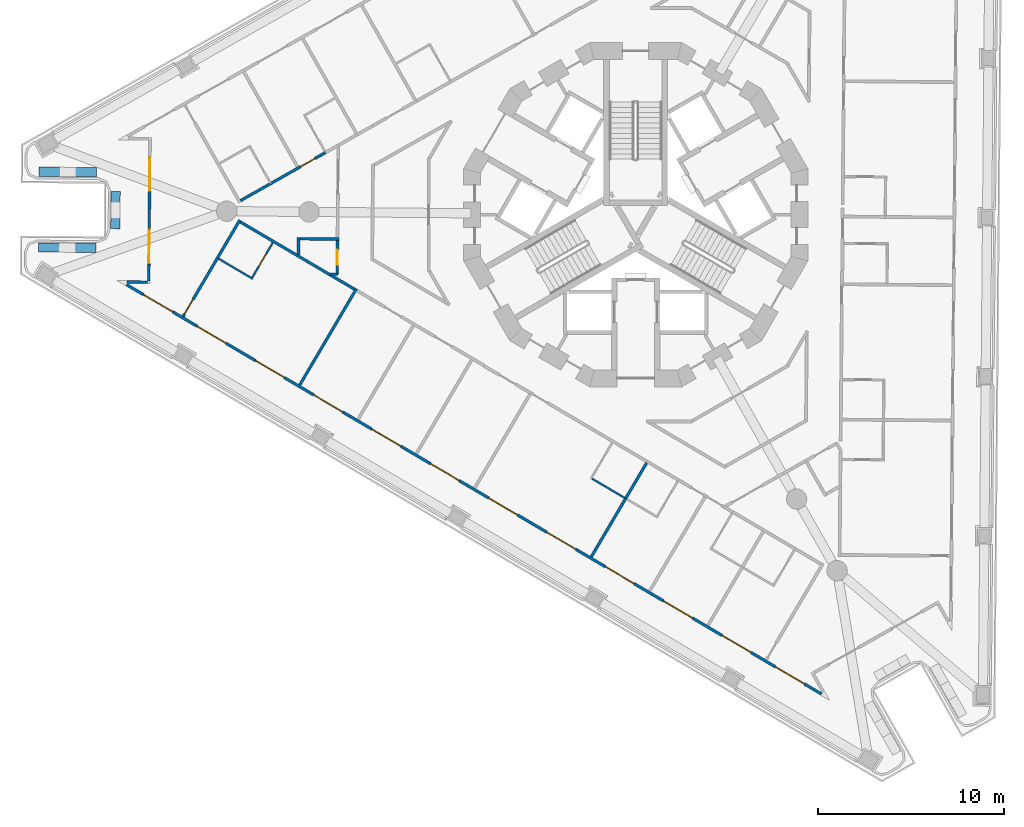
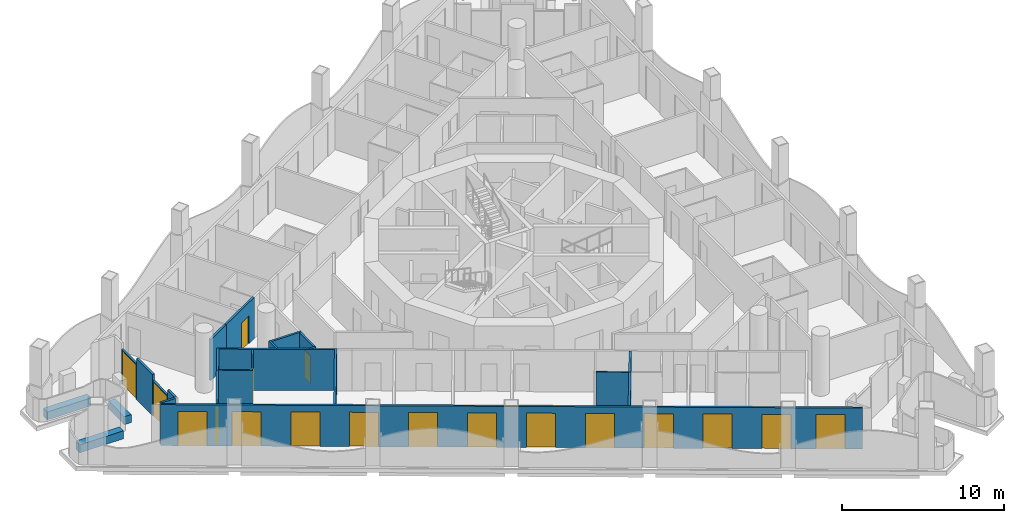
# One storey, part 2 of 17: 24 walls, 18 doors, 18 openings.
"""IFC4 building model written with IfcOpenShell, lengths in metres."""

from ifc_helpers import new_model, si_unit, direction, frame, frame_2d, origin, place, context, subcontext, project, spatial, polyline, rectangle, outline, extrude, material, layer, layer_set, type_object, element, fill, save


model = new_model("IFC4")

# Units and contexts
model_context = context("Model", 3, precision=1e-05, world=origin(), true_north=direction((0.0, 1.0)))
body_context = subcontext(model_context, "Body", "Model", "MODEL_VIEW")
ifc_project = project(units=[si_unit("LENGTHUNIT", "METRE"), si_unit("AREAUNIT", "SQUARE_METRE"), si_unit("VOLUMEUNIT", "CUBIC_METRE"), si_unit("PLANEANGLEUNIT", "RADIAN"), si_unit("MASSUNIT", "GRAM", prefix="KILO")], contexts=[model_context])

# Site, building, storey
site_placement = place(None, origin())
site = spatial("IfcSite", under=ifc_project, at=site_placement, CompositionType="ELEMENT")
building_placement = place(site_placement, origin())
building = spatial("IfcBuilding", under=site, at=building_placement, Name="Trine Commons Tower", CompositionType="ELEMENT")
storey_placement = place(building_placement, frame((0.0, 0.0, 189.89990234375)))
storey = spatial("IfcBuildingStorey", under=building, at=storey_placement, Name="L49", CompositionType="ELEMENT", Elevation=189.89990234375)

# Walls
ifc_material_1 = material(Name="Aluminium-framed insulated wall panel", Category="aluminium")
ifc_layer_1 = layer(ifc_material_1, 0.14990234375)
ifc_layer_set_1 = layer_set([ifc_layer_1], Name="Aluminium-framed insulated wall panel")
wall_type_1 = type_object("IfcWallType", Name="Glazed frame wall 150, EI 60", PredefinedType="SOLIDWALL", material=ifc_layer_set_1)
wall_1_placement = place(storey_placement, frame((52.447265625, 58.875244140625, 0.0), z_axis=(0.0, 0.0, 1.0), x_axis=(0.999962043845, -0.008712684354, 0.0)))
element("IfcWall", 1, at=wall_1_placement, inside=storey, type_object=wall_type_1, Name="Glazed frame wall R1", PredefinedType="SOLIDWALL", context=body_context, shape_type="SweptSolid", body=[
    extrude(outline(polyline([(0.1494140625, 0.074951171875), (0.1494140625, -0.074951171875), (1.235107421875, -0.074951171875), (1.235107421875, 0.074951171875), (0.1494140625, 0.074951171875)])), origin(), (0.0, 0.0, 1.0), 3.10009765625),
])
wall_2_placement = place(storey_placement, frame((53.7568359375, 58.828857421875, 0.0), z_axis=(0.0, 0.0, 1.0), x_axis=(0.008788723053, 0.999961378428, 0.0)))
element("IfcWall", 2, at=wall_2_placement, inside=storey, type_object=wall_type_1, Name="Glazed frame wall P1.1", PredefinedType="SOLIDWALL", context=body_context, shape_type="SweptSolid", body=[
    extrude(outline(polyline([(0.110107421875, -0.074951171875), (1.0, -0.074951171875), (1.0, 0.074951171875), (0.110107421875, 0.074951171875), (0.110107421875, -0.074951171875)])), origin(), (0.0, 0.0, 1.0), 3.10009765625),
])

# Wall, opening, door
wall_3_placement = place(storey_placement, frame((53.765625, 59.828857421875, 0.0), z_axis=(0.0, 0.0, 1.0), x_axis=(0.008737780017, 0.999961824872, 0.0)))
wall_3 = element("IfcWall", 3, at=wall_3_placement, inside=storey, type_object=wall_type_1, Name="Glazed frame wall P1.2", PredefinedType="SOLIDWALL", context=body_context, shape_type="SweptSolid", body=[
    extrude(outline(polyline([(0.0, -0.074951171875), (1.89990234375, -0.074951171875), (1.89990234375, 0.074951171875), (0.0, 0.074951171875), (0.0, -0.074951171875)])), origin(), (0.0, 0.0, 1.0), 2.650146484375),
])
opening_1_placement = place(wall_3_placement, frame((0.050048828125, 0.0, 0.0)))
opening_1 = element("IfcOpeningElement", 4, at=opening_1_placement, cuts=wall_3, Name="Opening BD-5P1-01", PredefinedType="OPENING", context=body_context, shape_type="SweptSolid", body=[
    extrude(rectangle(XDim=1.800048828125, YDim=2.60009765625, at=frame_2d((0.89990234375, 1.300048828125))), frame((0.0, 0.0849609375, 0.0), z_axis=(0.0, -1.0, 0.0), x_axis=(1.0, 0.0, 0.0)), (0.0, 0.0, 1.0), 0.169921875),
])
ifc_material_2 = material(Name="Anodised aluminium frame with double glazing", Category="aluminium")
door_type_1 = type_object("IfcDoorType", Name="Sliding loggia door 1800x2600", OperationType="SLIDING_TO_LEFT", PredefinedType="DOOR", material=ifc_material_2)
door_1_placement = place(opening_1_placement, origin())
door_1 = element("IfcDoor", 5, at=door_1_placement, inside=storey, type_object=door_type_1, Name="Loggia door P1 1", OperationType="SLIDING_TO_LEFT", OverallHeight=2.60009765625, OverallWidth=1.800048828125, PredefinedType="DOOR", context=body_context, shape_type="SweptSolid", body=[
    extrude(rectangle(XDim=1.800048828125, YDim=2.60009765625, at=frame_2d((0.89990234375, 1.300048828125))), frame((0.0, 0.02490234375, 0.0), z_axis=(0.0, -1.0, 0.0), x_axis=(1.0, 0.0, 0.0)), (0.0, 0.0, 1.0), 0.050048828125),
])
fill(opening_1, door_1)

# Wall
wall_4_placement = place(storey_placement, frame((53.7822265625, 61.728759765625, 0.0), z_axis=(0.0, 0.0, 1.0), x_axis=(0.008788723053, 0.999961378428, 0.0)))
element("IfcWall", 6, at=wall_4_placement, inside=storey, type_object=wall_type_1, Name="Glazed frame wall P1.3", PredefinedType="SOLIDWALL", context=body_context, shape_type="SweptSolid", body=[
    extrude(outline(polyline([(0.0, -0.074951171875), (2.0, -0.074951171875), (2.0, 0.074951171875), (0.0, 0.074951171875), (0.0, -0.074951171875)])), origin(), (0.0, 0.0, 1.0), 3.10009765625),
])

# Wall, opening, door
wall_5_placement = place(storey_placement, frame((53.7998046875, 63.728759765625, 0.0), z_axis=(0.0, 0.0, 1.0), x_axis=(0.008609292847, 0.999962939352, 0.0)))
wall_5 = element("IfcWall", 7, at=wall_5_placement, inside=storey, type_object=wall_type_1, Name="Glazed frame wall P1.4", PredefinedType="SOLIDWALL", context=body_context, shape_type="SweptSolid", body=[
    extrude(outline(polyline([(0.0, -0.074951171875), (1.89990234375, -0.074951171875), (1.89990234375, 0.074951171875), (0.0, 0.074951171875), (0.0, -0.074951171875)])), origin(), (0.0, 0.0, 1.0), 2.650146484375),
])
opening_2_placement = place(wall_5_placement, frame((0.050048828125, 0.0, 0.0)))
opening_2 = element("IfcOpeningElement", 8, at=opening_2_placement, cuts=wall_5, Name="Opening BD-5P1-02", PredefinedType="OPENING", context=body_context, shape_type="SweptSolid", body=[
    extrude(rectangle(XDim=1.800048828125, YDim=2.60009765625, at=frame_2d((0.89990234375, 1.300048828125))), frame((0.0, 0.0849609375, 0.0), z_axis=(0.0, -1.0, 0.0), x_axis=(1.0, 0.0, 0.0)), (0.0, 0.0, 1.0), 0.169921875),
])
door_2_placement = place(opening_2_placement, origin())
door_2 = element("IfcDoor", 9, at=door_2_placement, inside=storey, type_object=door_type_1, Name="Loggia door P1 2", OperationType="SLIDING_TO_LEFT", OverallHeight=2.60009765625, OverallWidth=1.800048828125, PredefinedType="DOOR", context=body_context, shape_type="SweptSolid", body=[
    extrude(rectangle(XDim=1.800048828125, YDim=2.60009765625, at=frame_2d((0.89990234375, 1.300048828125))), frame((0.0, 0.02490234375, 0.0), z_axis=(0.0, -1.0, 0.0), x_axis=(1.0, 0.0, 0.0)), (0.0, 0.0, 1.0), 0.050048828125),
])
fill(opening_2, door_2)

# Wall, openings, doors
wall_6_placement = place(storey_placement, frame((90.139404296875, 36.59716796875, 0.0), z_axis=(0.0, 0.0, 1.0), x_axis=(-0.861630336939, 0.507536365659, 0.0)))
wall_6 = element("IfcWall", 10, at=wall_6_placement, inside=storey, type_object=wall_type_1, Name="Glazed frame wall F3", PredefinedType="SOLIDWALL", context=body_context, shape_type="SweptSolid", body=[
    extrude(outline(polyline([(0.1494140625, 0.074951171875), (0.1494140625, -0.074951171875), (43.616943359375, -0.074951171875), (43.616943359375, 0.074951171875), (0.1494140625, 0.074951171875)])), origin(), (0.0, 0.0, 1.0), 3.10009765625),
])
opening_3_placement = place(wall_6_placement, frame((1.2236328125, 0.0, 0.0)))
opening_3 = element("IfcOpeningElement", 11, at=opening_3_placement, cuts=wall_6, Name="Opening BD-5F3-01", PredefinedType="OPENING", context=body_context, shape_type="SweptSolid", body=[
    extrude(rectangle(XDim=1.800048828125, YDim=2.60009765625, at=frame_2d((0.89990234375, 1.300048828125))), frame((0.0, 0.0849609375, 0.0), z_axis=(0.0, -1.0, 0.0), x_axis=(1.0, 0.0, 0.0)), (0.0, 0.0, 1.0), 0.169921875),
])
opening_4_placement = place(wall_6_placement, frame((4.57080078125, 0.0, 0.0)))
opening_4 = element("IfcOpeningElement", 12, at=opening_4_placement, cuts=wall_6, Name="Opening BD-5F3-02", PredefinedType="OPENING", context=body_context, shape_type="SweptSolid", body=[
    extrude(rectangle(XDim=1.800048828125, YDim=2.60009765625, at=frame_2d((0.89990234375, 1.300048828125))), frame((0.0, 0.0849609375, 0.0), z_axis=(0.0, -1.0, 0.0), x_axis=(1.0, 0.0, 0.0)), (0.0, 0.0, 1.0), 0.169921875),
])
opening_5_placement = place(wall_6_placement, frame((8.218017578125, 0.0, 0.0)))
opening_5 = element("IfcOpeningElement", 13, at=opening_5_placement, cuts=wall_6, Name="Opening BD-5F3-03", PredefinedType="OPENING", context=body_context, shape_type="SweptSolid", body=[
    extrude(rectangle(XDim=1.800048828125, YDim=2.60009765625, at=frame_2d((0.89990234375, 1.300048828125))), frame((0.0, 0.0849609375, 0.0), z_axis=(0.0, -1.0, 0.0), x_axis=(1.0, 0.0, 0.0)), (0.0, 0.0, 1.0), 0.169921875),
])
opening_6_placement = place(wall_6_placement, frame((11.865234375, 0.0, 0.0)))
opening_6 = element("IfcOpeningElement", 14, at=opening_6_placement, cuts=wall_6, Name="Opening BD-5F3-04", PredefinedType="OPENING", context=body_context, shape_type="SweptSolid", body=[
    extrude(rectangle(XDim=1.800048828125, YDim=2.60009765625, at=frame_2d((0.89990234375, 1.300048828125))), frame((0.0, 0.0849609375, 0.0), z_axis=(0.0, -1.0, 0.0), x_axis=(1.0, 0.0, 0.0)), (0.0, 0.0, 1.0), 0.169921875),
])
opening_7_placement = place(wall_6_placement, frame((15.512451171875, 0.0, 0.0)))
opening_7 = element("IfcOpeningElement", 15, at=opening_7_placement, cuts=wall_6, Name="Opening BD-5F3-05", PredefinedType="OPENING", context=body_context, shape_type="SweptSolid", body=[
    extrude(rectangle(XDim=1.800048828125, YDim=2.60009765625, at=frame_2d((0.89990234375, 1.300048828125))), frame((0.0, 0.0849609375, 0.0), z_axis=(0.0, -1.0, 0.0), x_axis=(1.0, 0.0, 0.0)), (0.0, 0.0, 1.0), 0.169921875),
])
opening_8_placement = place(wall_6_placement, frame((19.15966796875, 0.0, 0.0)))
opening_8 = element("IfcOpeningElement", 16, at=opening_8_placement, cuts=wall_6, Name="Opening BD-5F3-06", PredefinedType="OPENING", context=body_context, shape_type="SweptSolid", body=[
    extrude(rectangle(XDim=1.800048828125, YDim=2.60009765625, at=frame_2d((0.89990234375, 1.300048828125))), frame((0.0, 0.0849609375, 0.0), z_axis=(0.0, -1.0, 0.0), x_axis=(1.0, 0.0, 0.0)), (0.0, 0.0, 1.0), 0.169921875),
])
opening_9_placement = place(wall_6_placement, frame((22.806884765625, 0.0, 0.0)))
opening_9 = element("IfcOpeningElement", 17, at=opening_9_placement, cuts=wall_6, Name="Opening BD-5F3-07", PredefinedType="OPENING", context=body_context, shape_type="SweptSolid", body=[
    extrude(rectangle(XDim=1.800048828125, YDim=2.60009765625, at=frame_2d((0.89990234375, 1.300048828125))), frame((0.0, 0.0849609375, 0.0), z_axis=(0.0, -1.0, 0.0), x_axis=(1.0, 0.0, 0.0)), (0.0, 0.0, 1.0), 0.169921875),
])
opening_10_placement = place(wall_6_placement, frame((26.4541015625, 0.0, 0.0)))
opening_10 = element("IfcOpeningElement", 18, at=opening_10_placement, cuts=wall_6, Name="Opening BD-5F3-08", PredefinedType="OPENING", context=body_context, shape_type="SweptSolid", body=[
    extrude(rectangle(XDim=1.800048828125, YDim=2.60009765625, at=frame_2d((0.89990234375, 1.300048828125))), frame((0.0, 0.0849609375, 0.0), z_axis=(0.0, -1.0, 0.0), x_axis=(1.0, 0.0, 0.0)), (0.0, 0.0, 1.0), 0.169921875),
])
opening_11_placement = place(wall_6_placement, frame((30.101318359375, 0.0, 0.0)))
opening_11 = element("IfcOpeningElement", 19, at=opening_11_placement, cuts=wall_6, Name="Opening BD-5F3-09", PredefinedType="OPENING", context=body_context, shape_type="SweptSolid", body=[
    extrude(rectangle(XDim=1.800048828125, YDim=2.60009765625, at=frame_2d((0.89990234375, 1.300048828125))), frame((0.0, 0.0849609375, 0.0), z_axis=(0.0, -1.0, 0.0), x_axis=(1.0, 0.0, 0.0)), (0.0, 0.0, 1.0), 0.169921875),
])
opening_12_placement = place(wall_6_placement, frame((33.748291015625, 0.0, 0.0)))
opening_12 = element("IfcOpeningElement", 20, at=opening_12_placement, cuts=wall_6, Name="Opening BD-5F3-10", PredefinedType="OPENING", context=body_context, shape_type="SweptSolid", body=[
    extrude(rectangle(XDim=1.800048828125, YDim=2.60009765625, at=frame_2d((0.89990234375, 1.300048828125))), frame((0.0, 0.0849609375, 0.0), z_axis=(0.0, -1.0, 0.0), x_axis=(1.0, 0.0, 0.0)), (0.0, 0.0, 1.0), 0.169921875),
])
opening_13_placement = place(wall_6_placement, frame((37.3955078125, 0.0, 0.0)))
opening_13 = element("IfcOpeningElement", 21, at=opening_13_placement, cuts=wall_6, Name="Opening BD-5F3-11", PredefinedType="OPENING", context=body_context, shape_type="SweptSolid", body=[
    extrude(rectangle(XDim=1.800048828125, YDim=2.60009765625, at=frame_2d((0.89990234375, 1.300048828125))), frame((0.0, 0.0849609375, 0.0), z_axis=(0.0, -1.0, 0.0), x_axis=(1.0, 0.0, 0.0)), (0.0, 0.0, 1.0), 0.169921875),
])
opening_14_placement = place(wall_6_placement, frame((40.742919921875, 0.0, 0.0)))
opening_14 = element("IfcOpeningElement", 22, at=opening_14_placement, cuts=wall_6, Name="Opening BD-5F3-12", PredefinedType="OPENING", context=body_context, shape_type="SweptSolid", body=[
    extrude(rectangle(XDim=1.800048828125, YDim=2.60009765625, at=frame_2d((0.89990234375, 1.300048828125))), frame((0.0, 0.0849609375, 0.0), z_axis=(0.0, -1.0, 0.0), x_axis=(1.0, 0.0, 0.0)), (0.0, 0.0, 1.0), 0.169921875),
])
door_3_placement = place(opening_3_placement, origin())
door_3 = element("IfcDoor", 23, at=door_3_placement, inside=storey, type_object=door_type_1, Name="Loggia door F3 1", OperationType="SLIDING_TO_LEFT", OverallHeight=2.60009765625, OverallWidth=1.800048828125, PredefinedType="DOOR", context=body_context, shape_type="SweptSolid", body=[
    extrude(rectangle(XDim=1.800048828125, YDim=2.60009765625, at=frame_2d((0.89990234375, 1.300048828125))), frame((0.0, 0.02490234375, 0.0), z_axis=(0.0, -1.0, 0.0), x_axis=(1.0, 0.0, 0.0)), (0.0, 0.0, 1.0), 0.050048828125),
])
fill(opening_3, door_3)
door_4_placement = place(opening_4_placement, origin())
door_4 = element("IfcDoor", 24, at=door_4_placement, inside=storey, type_object=door_type_1, Name="Loggia door F3 2", OperationType="SLIDING_TO_LEFT", OverallHeight=2.60009765625, OverallWidth=1.800048828125, PredefinedType="DOOR", context=body_context, shape_type="SweptSolid", body=[
    extrude(rectangle(XDim=1.800048828125, YDim=2.60009765625, at=frame_2d((0.89990234375, 1.300048828125))), frame((0.0, 0.02490234375, 0.0), z_axis=(0.0, -1.0, 0.0), x_axis=(1.0, 0.0, 0.0)), (0.0, 0.0, 1.0), 0.050048828125),
])
fill(opening_4, door_4)
door_5_placement = place(opening_5_placement, origin())
door_5 = element("IfcDoor", 25, at=door_5_placement, inside=storey, type_object=door_type_1, Name="Loggia door F3 3", OperationType="SLIDING_TO_LEFT", OverallHeight=2.60009765625, OverallWidth=1.800048828125, PredefinedType="DOOR", context=body_context, shape_type="SweptSolid", body=[
    extrude(rectangle(XDim=1.800048828125, YDim=2.60009765625, at=frame_2d((0.89990234375, 1.300048828125))), frame((0.0, 0.02490234375, 0.0), z_axis=(0.0, -1.0, 0.0), x_axis=(1.0, 0.0, 0.0)), (0.0, 0.0, 1.0), 0.050048828125),
])
fill(opening_5, door_5)
door_6_placement = place(opening_6_placement, origin())
door_6 = element("IfcDoor", 26, at=door_6_placement, inside=storey, type_object=door_type_1, Name="Loggia door F3 4", OperationType="SLIDING_TO_LEFT", OverallHeight=2.60009765625, OverallWidth=1.800048828125, PredefinedType="DOOR", context=body_context, shape_type="SweptSolid", body=[
    extrude(rectangle(XDim=1.800048828125, YDim=2.60009765625, at=frame_2d((0.89990234375, 1.300048828125))), frame((0.0, 0.02490234375, 0.0), z_axis=(0.0, -1.0, 0.0), x_axis=(1.0, 0.0, 0.0)), (0.0, 0.0, 1.0), 0.050048828125),
])
fill(opening_6, door_6)
door_7_placement = place(opening_7_placement, origin())
door_7 = element("IfcDoor", 27, at=door_7_placement, inside=storey, type_object=door_type_1, Name="Loggia door F3 5", OperationType="SLIDING_TO_LEFT", OverallHeight=2.60009765625, OverallWidth=1.800048828125, PredefinedType="DOOR", context=body_context, shape_type="SweptSolid", body=[
    extrude(rectangle(XDim=1.800048828125, YDim=2.60009765625, at=frame_2d((0.89990234375, 1.300048828125))), frame((0.0, 0.02490234375, 0.0), z_axis=(0.0, -1.0, 0.0), x_axis=(1.0, 0.0, 0.0)), (0.0, 0.0, 1.0), 0.050048828125),
])
fill(opening_7, door_7)
door_8_placement = place(opening_8_placement, origin())
door_8 = element("IfcDoor", 28, at=door_8_placement, inside=storey, type_object=door_type_1, Name="Loggia door F3 6", OperationType="SLIDING_TO_LEFT", OverallHeight=2.60009765625, OverallWidth=1.800048828125, PredefinedType="DOOR", context=body_context, shape_type="SweptSolid", body=[
    extrude(rectangle(XDim=1.800048828125, YDim=2.60009765625, at=frame_2d((0.89990234375, 1.300048828125))), frame((0.0, 0.02490234375, 0.0), z_axis=(0.0, -1.0, 0.0), x_axis=(1.0, 0.0, 0.0)), (0.0, 0.0, 1.0), 0.050048828125),
])
fill(opening_8, door_8)
door_9_placement = place(opening_9_placement, origin())
door_9 = element("IfcDoor", 29, at=door_9_placement, inside=storey, type_object=door_type_1, Name="Loggia door F3 7", OperationType="SLIDING_TO_LEFT", OverallHeight=2.60009765625, OverallWidth=1.800048828125, PredefinedType="DOOR", context=body_context, shape_type="SweptSolid", body=[
    extrude(rectangle(XDim=1.800048828125, YDim=2.60009765625, at=frame_2d((0.89990234375, 1.300048828125))), frame((0.0, 0.02490234375, 0.0), z_axis=(0.0, -1.0, 0.0), x_axis=(1.0, 0.0, 0.0)), (0.0, 0.0, 1.0), 0.050048828125),
])
fill(opening_9, door_9)
door_10_placement = place(opening_10_placement, origin())
door_10 = element("IfcDoor", 30, at=door_10_placement, inside=storey, type_object=door_type_1, Name="Loggia door F3 8", OperationType="SLIDING_TO_LEFT", OverallHeight=2.60009765625, OverallWidth=1.800048828125, PredefinedType="DOOR", context=body_context, shape_type="SweptSolid", body=[
    extrude(rectangle(XDim=1.800048828125, YDim=2.60009765625, at=frame_2d((0.89990234375, 1.300048828125))), frame((0.0, 0.02490234375, 0.0), z_axis=(0.0, -1.0, 0.0), x_axis=(1.0, 0.0, 0.0)), (0.0, 0.0, 1.0), 0.050048828125),
])
fill(opening_10, door_10)
door_11_placement = place(opening_11_placement, origin())
door_11 = element("IfcDoor", 31, at=door_11_placement, inside=storey, type_object=door_type_1, Name="Loggia door F3 9", OperationType="SLIDING_TO_LEFT", OverallHeight=2.60009765625, OverallWidth=1.800048828125, PredefinedType="DOOR", context=body_context, shape_type="SweptSolid", body=[
    extrude(rectangle(XDim=1.800048828125, YDim=2.60009765625, at=frame_2d((0.89990234375, 1.300048828125))), frame((0.0, 0.02490234375, 0.0), z_axis=(0.0, -1.0, 0.0), x_axis=(1.0, 0.0, 0.0)), (0.0, 0.0, 1.0), 0.050048828125),
])
fill(opening_11, door_11)
door_12_placement = place(opening_12_placement, origin())
door_12 = element("IfcDoor", 32, at=door_12_placement, inside=storey, type_object=door_type_1, Name="Loggia door F3 10", OperationType="SLIDING_TO_LEFT", OverallHeight=2.60009765625, OverallWidth=1.800048828125, PredefinedType="DOOR", context=body_context, shape_type="SweptSolid", body=[
    extrude(rectangle(XDim=1.800048828125, YDim=2.60009765625, at=frame_2d((0.89990234375, 1.300048828125))), frame((0.0, 0.02490234375, 0.0), z_axis=(0.0, -1.0, 0.0), x_axis=(1.0, 0.0, 0.0)), (0.0, 0.0, 1.0), 0.050048828125),
])
fill(opening_12, door_12)
door_13_placement = place(opening_13_placement, origin())
door_13 = element("IfcDoor", 33, at=door_13_placement, inside=storey, type_object=door_type_1, Name="Loggia door F3 11", OperationType="SLIDING_TO_LEFT", OverallHeight=2.60009765625, OverallWidth=1.800048828125, PredefinedType="DOOR", context=body_context, shape_type="SweptSolid", body=[
    extrude(rectangle(XDim=1.800048828125, YDim=2.60009765625, at=frame_2d((0.89990234375, 1.300048828125))), frame((0.0, 0.02490234375, 0.0), z_axis=(0.0, -1.0, 0.0), x_axis=(1.0, 0.0, 0.0)), (0.0, 0.0, 1.0), 0.050048828125),
])
fill(opening_13, door_13)
door_14_placement = place(opening_14_placement, origin())
door_14 = element("IfcDoor", 34, at=door_14_placement, inside=storey, type_object=door_type_1, Name="Loggia door F3 12", OperationType="SLIDING_TO_LEFT", OverallHeight=2.60009765625, OverallWidth=1.800048828125, PredefinedType="DOOR", context=body_context, shape_type="SweptSolid", body=[
    extrude(rectangle(XDim=1.800048828125, YDim=2.60009765625, at=frame_2d((0.89990234375, 1.300048828125))), frame((0.0, 0.02490234375, 0.0), z_axis=(0.0, -1.0, 0.0), x_axis=(1.0, 0.0, 0.0)), (0.0, 0.0, 1.0), 0.050048828125),
])
fill(opening_14, door_14)

# Walls
ifc_material_3 = material(Name="Planter trough, precast concrete C40/50", Category="concrete")
ifc_layer_2 = layer(ifc_material_3, 0.5)
ifc_layer_set_2 = layer_set([ifc_layer_2], Name="Planter trough, precast concrete C40/50")
wall_type_2 = type_object("IfcWallType", Name="Planter trough 500x600", PredefinedType="PARAPET", material=ifc_layer_set_2)
wall_7_placement = place(storey_placement, frame((47.808349609375, 60.74072265625, 0.0), z_axis=(0.0, 0.0, 1.0), x_axis=(0.99996247431, -0.008663138708, 0.0)))
element("IfcWall", 35, at=wall_7_placement, inside=storey, type_object=wall_type_2, Name="Planter 1", PredefinedType="PARAPET", context=body_context, shape_type="SweptSolid", body=[
    extrude(rectangle(XDim=3.099853515625, YDim=0.5, at=frame_2d((1.5498046875, 0.0))), origin(), (0.0, 0.0, 1.0), 0.60009765625),
])
wall_8_placement = place(storey_placement, frame((51.957275390625, 61.74462890625, 0.0), z_axis=(0.0, 0.0, 1.0), x_axis=(0.008666666688, 0.999962443739, 0.0)))
element("IfcWall", 36, at=wall_8_placement, inside=storey, type_object=wall_type_2, Name="Planter 2", PredefinedType="PARAPET", context=body_context, shape_type="SweptSolid", body=[
    extrude(rectangle(XDim=2.0, YDim=0.5, at=frame_2d((1.0, 0.0))), origin(), (0.0, 0.0, 1.0), 0.60009765625),
])
wall_9_placement = place(storey_placement, frame((50.94384765625, 64.793701171875, 0.0), z_axis=(0.0, 0.0, 1.0), x_axis=(-0.999961788962, 0.008741888523, 0.0)))
element("IfcWall", 37, at=wall_9_placement, inside=storey, type_object=wall_type_2, Name="Planter 3", PredefinedType="PARAPET", context=body_context, shape_type="SweptSolid", body=[
    extrude(rectangle(XDim=3.099853515625, YDim=0.5, at=frame_2d((1.5498046875, 0.0))), origin(), (0.0, 0.0, 1.0), 0.60009765625),
])

# Wall, opening, door
ifc_material_4 = material(Name="Gypsum plasterboard on steel stud", Category="steel")
ifc_layer_3 = layer(ifc_material_4, 0.14990234375)
ifc_layer_set_3 = layer_set([ifc_layer_3], Name="Gypsum plasterboard on steel stud")
wall_type_3 = type_object("IfcWallType", Name="Unit and corridor wall 150 mm, EI 60", PredefinedType="PARTITIONING", material=ifc_layer_set_3)
wall_10_placement = place(storey_placement, frame((55.609375, 57.0234375, 0.0), z_axis=(0.0, 0.0, 1.0), x_axis=(0.507673958325, 0.861549274295, 0.0)))
wall_10 = element("IfcWall", 38, at=wall_10_placement, inside=storey, type_object=wall_type_3, Name="Partition 001", PredefinedType="PARTITIONING", context=body_context, shape_type="SweptSolid", body=[
    extrude(rectangle(XDim=3.703369140625, YDim=0.14990234375, at=frame_2d((1.8515625, 0.0))), origin(), (0.0, 0.0, 1.0), 3.10009765625),
])
opening_15_placement = place(wall_10_placement, frame((0.14990234375, 0.0, 0.0)))
opening_15 = element("IfcOpeningElement", 39, at=opening_15_placement, cuts=wall_10, Name="Opening D-5C27", PredefinedType="OPENING", context=body_context, shape_type="SweptSolid", body=[
    extrude(rectangle(XDim=0.89990234375, YDim=2.10009765625, at=frame_2d((0.449951171875, 1.050048828125))), frame((0.0, 0.0849609375, 0.0), z_axis=(0.0, -1.0, 0.0), x_axis=(1.0, 0.0, 0.0)), (0.0, 0.0, 1.0), 0.169921875),
])
ifc_material_5 = material(Name="Timber fire door set", Category="wood")
door_type_2 = type_object("IfcDoorType", Name="Bedroom door 900 x 2100, FD30S", OperationType="NOTDEFINED", PredefinedType="DOOR", material=ifc_material_5)
door_15_placement = place(opening_15_placement, frame((0.89990234375, 0.0, 0.0), z_axis=(0.0, 0.0, 1.0), x_axis=(-1.0, 0.0, 0.0)))
door_15 = element("IfcDoor", 40, at=door_15_placement, inside=storey, type_object=door_type_2, Name="Door D-5C27", OperationType="SINGLE_SWING_RIGHT", OverallHeight=2.10009765625, OverallWidth=0.89990234375, PredefinedType="DOOR", context=body_context, shape_type="SweptSolid", body=[
    extrude(rectangle(XDim=0.89990234375, YDim=2.10009765625, at=frame_2d((0.449951171875, 1.050048828125))), frame((0.0, 0.02490234375, 0.0), z_axis=(0.0, -1.0, 0.0), x_axis=(1.0, 0.0, 0.0)), (0.0, 0.0, 1.0), 0.050048828125),
])
fill(opening_15, door_15)

# Walls
wall_11_placement = place(storey_placement, frame((57.4599609375, 60.1650390625, 0.0), z_axis=(0.0, 0.0, 1.0), x_axis=(0.507459651278, 0.861675520323, 0.0)))
element("IfcWall", 41, at=wall_11_placement, inside=storey, type_object=wall_type_3, Name="Partition 003", PredefinedType="PARTITIONING", context=body_context, shape_type="SweptSolid", body=[
    extrude(rectangle(XDim=2.378662109375, YDim=0.14990234375, at=frame_2d((1.189453125, 0.0))), origin(), (0.0, 0.0, 1.0), 3.10009765625),
])
wall_12_placement = place(storey_placement, frame((58.693603515625, 62.11181640625, 0.0), z_axis=(0.0, 0.0, 1.0), x_axis=(0.861634282469, -0.507529667383, 0.0)))
element("IfcWall", 42, at=wall_12_placement, inside=storey, type_object=wall_type_3, Name="Partition 006", PredefinedType="PARTITIONING", context=body_context, shape_type="SweptSolid", body=[
    extrude(rectangle(XDim=7.22265625, YDim=0.14990234375, at=frame_2d((3.611328125, 0.0))), origin(), (0.0, 0.0, 1.0), 3.10009765625),
])
wall_13_placement = place(storey_placement, frame((58.704345703125, 63.260009765625, 0.0), z_axis=(0.0, 0.0, 1.0), x_axis=(0.870323079534, 0.492481204951, 0.0)))
element("IfcWall", 43, at=wall_13_placement, inside=storey, type_object=wall_type_3, Name="Partition 007", PredefinedType="PARTITIONING", context=body_context, shape_type="SweptSolid", body=[
    extrude(rectangle(XDim=1.87841796875, YDim=0.14990234375, at=frame_2d((0.939208984375, 0.0))), origin(), (0.0, 0.0, 1.0), 3.10009765625),
])

# Wall, opening, door
wall_14_placement = place(storey_placement, frame((60.3330078125, 64.180908203125, 0.0), z_axis=(0.0, 0.0, 1.0), x_axis=(0.870177889585, 0.492737699468, 0.0)))
wall_14 = element("IfcWall", 44, at=wall_14_placement, inside=storey, type_object=wall_type_3, Name="Partition 011", PredefinedType="PARTITIONING", context=body_context, shape_type="SweptSolid", body=[
    extrude(rectangle(XDim=3.451416015625, YDim=0.14990234375, at=frame_2d((1.7255859375, 0.0))), origin(), (0.0, 0.0, 1.0), 3.10009765625),
])
opening_16_placement = place(wall_14_placement, frame((1.850830078125, 0.0, 0.0)))
opening_16 = element("IfcOpeningElement", 45, at=opening_16_placement, cuts=wall_14, Name="Opening D-5C07", PredefinedType="OPENING", context=body_context, shape_type="SweptSolid", body=[
    extrude(rectangle(XDim=0.89990234375, YDim=2.10009765625, at=frame_2d((0.449951171875, 1.050048828125))), frame((0.0, 0.0849609375, 0.0), z_axis=(0.0, -1.0, 0.0), x_axis=(1.0, 0.0, 0.0)), (0.0, 0.0, 1.0), 0.169921875),
])
door_16_placement = place(opening_16_placement, origin())
door_16 = element("IfcDoor", 46, at=door_16_placement, inside=storey, type_object=door_type_2, Name="Door D-5C07", OperationType="SINGLE_SWING_RIGHT", OverallHeight=2.10009765625, OverallWidth=0.89990234375, PredefinedType="DOOR", context=body_context, shape_type="SweptSolid", body=[
    extrude(rectangle(XDim=0.89990234375, YDim=2.10009765625, at=frame_2d((0.449951171875, 1.050048828125))), frame((0.0, 0.02490234375, 0.0), z_axis=(0.0, -1.0, 0.0), x_axis=(1.0, 0.0, 0.0)), (0.0, 0.0, 1.0), 0.050048828125),
])
fill(opening_16, door_16)

# Walls
wall_15_placement = place(storey_placement, frame((61.82568359375, 60.343017578125, 0.0), z_axis=(0.0, 0.0, 1.0), x_axis=(0.008337386084, 0.999965243393, 0.0)))
element("IfcWall", 47, at=wall_15_placement, inside=storey, type_object=wall_type_3, Name="Partition 012", PredefinedType="PARTITIONING", context=body_context, shape_type="SweptSolid", body=[
    extrude(rectangle(XDim=0.93701171875, YDim=0.14990234375, at=frame_2d((0.468505859375, 0.0))), origin(), (0.0, 0.0, 1.0), 3.10009765625),
])
wall_16_placement = place(storey_placement, frame((61.907958984375, 61.204345703125, 0.0), z_axis=(0.0, 0.0, 1.0), x_axis=(0.999962964822, -0.008606333961, 0.0)))
element("IfcWall", 48, at=wall_16_placement, inside=storey, type_object=wall_type_3, Name="Partition 013", PredefinedType="PARTITIONING", context=body_context, shape_type="SweptSolid", body=[
    extrude(rectangle(XDim=2.09912109375, YDim=0.14990234375, at=frame_2d((1.049560546875, 0.0))), origin(), (0.0, 0.0, 1.0), 3.10009765625),
])
wall_17_placement = place(storey_placement, frame((61.894287109375, 53.321533203125, 0.0), z_axis=(0.0, 0.0, 1.0), x_axis=(0.507542448837, 0.861626753663, 0.0)))
element("IfcWall", 49, at=wall_17_placement, inside=storey, type_object=wall_type_3, Name="Partition 014", PredefinedType="PARTITIONING", context=body_context, shape_type="SweptSolid", body=[
    extrude(rectangle(XDim=6.02490234375, YDim=0.14990234375, at=frame_2d((3.012451171875, 0.0))), origin(), (0.0, 0.0, 1.0), 3.10009765625),
])
wall_18_placement = place(storey_placement, frame((63.537109375, 59.29052734375, 0.0), z_axis=(0.0, 0.0, 1.0), x_axis=(0.99995807265, -0.009157125207, 0.0)))
element("IfcWall", 50, at=wall_18_placement, inside=storey, type_object=wall_type_3, Name="Partition 019", PredefinedType="PARTITIONING", context=body_context, shape_type="SweptSolid", body=[
    extrude(rectangle(XDim=0.39990234375, YDim=0.14990234375, at=frame_2d((0.199951171875, 0.0))), origin(), (0.0, 0.0, 1.0), 3.10009765625),
])

# Wall, opening, door
wall_19_placement = place(storey_placement, frame((63.916015625, 59.282958984375, 0.0), z_axis=(0.0, 0.0, 1.0), x_axis=(0.008923459297, 0.999960185144, 0.0)))
wall_19 = element("IfcWall", 51, at=wall_19_placement, inside=storey, type_object=wall_type_3, Name="Partition 020", PredefinedType="PARTITIONING", context=body_context, shape_type="SweptSolid", body=[
    extrude(rectangle(XDim=1.8330078125, YDim=0.14990234375, at=frame_2d((0.91650390625, 0.0))), origin(), (0.0, 0.0, 1.0), 3.10009765625),
])
opening_17_placement = place(wall_19_placement, frame((0.5185546875, 0.0, 0.0)))
opening_17 = element("IfcOpeningElement", 52, at=opening_17_placement, cuts=wall_19, Name="Opening D-5C05", PredefinedType="OPENING", context=body_context, shape_type="SweptSolid", body=[
    extrude(rectangle(XDim=0.800048828125, YDim=2.10009765625, at=frame_2d((0.39990234375, 1.050048828125))), frame((0.0, 0.0849609375, 0.0), z_axis=(0.0, -1.0, 0.0), x_axis=(1.0, 0.0, 0.0)), (0.0, 0.0, 1.0), 0.169921875),
])
ifc_material_6 = material(Name="Painted timber", Category="wood")
door_type_3 = type_object("IfcDoorType", Name="Toilet door 800 x 2100, NOT RATED", OperationType="NOTDEFINED", PredefinedType="DOOR", material=ifc_material_6)
door_17_placement = place(opening_17_placement, origin())
door_17 = element("IfcDoor", 53, at=door_17_placement, inside=storey, type_object=door_type_3, Name="Door D-5C05", OperationType="SINGLE_SWING_RIGHT", OverallHeight=2.10009765625, OverallWidth=0.800048828125, PredefinedType="DOOR", context=body_context, shape_type="SweptSolid", body=[
    extrude(rectangle(XDim=0.800048828125, YDim=2.10009765625, at=frame_2d((0.39990234375, 1.050048828125))), frame((0.0, 0.02490234375, 0.0), z_axis=(0.0, -1.0, 0.0), x_axis=(1.0, 0.0, 0.0)), (0.0, 0.0, 1.0), 0.050048828125),
])
fill(opening_17, door_17)

# Walls
wall_20_placement = place(storey_placement, frame((77.607421875, 44.06640625, 0.0), z_axis=(0.0, 0.0, 1.0), x_axis=(0.50751135469, 0.861645068959, 0.0)))
element("IfcWall", 54, at=wall_20_placement, inside=storey, type_object=wall_type_3, Name="Partition 046", PredefinedType="PARTITIONING", context=body_context, shape_type="SweptSolid", body=[
    extrude(rectangle(XDim=3.6484375, YDim=0.14990234375, at=frame_2d((1.82421875, 0.0))), origin(), (0.0, 0.0, 1.0), 3.10009765625),
])
wall_21_placement = place(storey_placement, frame((79.458984375, 47.2099609375, 0.0), z_axis=(0.0, 0.0, 1.0), x_axis=(0.507671952173, 0.861550456431, 0.0)))
element("IfcWall", 55, at=wall_21_placement, inside=storey, type_object=wall_type_3, Name="Partition 053", PredefinedType="PARTITIONING", context=body_context, shape_type="SweptSolid", body=[
    extrude(rectangle(XDim=2.2255859375, YDim=0.14990234375, at=frame_2d((1.11279296875, 0.0))), origin(), (0.0, 0.0, 1.0), 3.10009765625),
])
ifc_layer_4 = layer(ifc_material_4, 0.10009765625)
ifc_layer_set_4 = layer_set([ifc_layer_4], Name="Gypsum plasterboard on steel stud")
wall_type_4 = type_object("IfcWallType", Name="Unit partition 100 mm, no rating", PredefinedType="PARTITIONING", material=ifc_layer_set_4)
wall_22_placement = place(storey_placement, frame((57.526611328125, 60.1298828125, 0.0), z_axis=(0.0, 0.0, 1.0), x_axis=(0.861612050722, -0.507567408381, 0.0)))
element("IfcWall", 56, at=wall_22_placement, inside=storey, type_object=wall_type_4, Name="Partition 004", PredefinedType="PARTITIONING", context=body_context, shape_type="SweptSolid", body=[
    extrude(rectangle(XDim=2.12451171875, YDim=0.10009765625, at=frame_2d((1.062255859375, 0.0))), origin(), (0.0, 0.0, 1.0), 3.10009765625),
])

# Wall, opening, door
wall_23_placement = place(storey_placement, frame((59.33935546875, 59.1201171875, 0.0), z_axis=(0.0, 0.0, 1.0), x_axis=(0.507363468798, 0.861732157071, 0.0)))
wall_23 = element("IfcWall", 57, at=wall_23_placement, inside=storey, type_object=wall_type_4, Name="Partition 010", PredefinedType="PARTITIONING", context=body_context, shape_type="SweptSolid", body=[
    extrude(rectangle(XDim=2.175048828125, YDim=0.10009765625, at=frame_2d((1.08740234375, 0.0))), origin(), (0.0, 0.0, 1.0), 3.10009765625),
])
opening_18_placement = place(wall_23_placement, frame((0.6875, 0.0, 0.0)))
opening_18 = element("IfcOpeningElement", 58, at=opening_18_placement, cuts=wall_23, Name="Opening D-5C50", PredefinedType="OPENING", context=body_context, shape_type="SweptSolid", body=[
    extrude(rectangle(XDim=0.800048828125, YDim=2.10009765625, at=frame_2d((0.39990234375, 1.050048828125))), frame((0.0, 0.06005859375, 0.0), z_axis=(0.0, -1.0, 0.0), x_axis=(1.0, 0.0, 0.0)), (0.0, 0.0, 1.0), 0.1201171875),
])
door_type_4 = type_object("IfcDoorType", Name="Internal door 800 x 2100, NOT RATED", OperationType="NOTDEFINED", PredefinedType="DOOR", material=ifc_material_6)
door_18_placement = place(opening_18_placement, frame((0.800048828125, 0.0, 0.0), z_axis=(0.0, 0.0, 1.0), x_axis=(-1.0, 0.0, 0.0)))
door_18 = element("IfcDoor", 59, at=door_18_placement, inside=storey, type_object=door_type_4, Name="Door D-5C50", OperationType="SINGLE_SWING_RIGHT", OverallHeight=2.10009765625, OverallWidth=0.800048828125, PredefinedType="DOOR", context=body_context, shape_type="SweptSolid", body=[
    extrude(rectangle(XDim=0.800048828125, YDim=2.10009765625, at=frame_2d((0.39990234375, 1.050048828125))), frame((0.0, 0.02490234375, 0.0), z_axis=(0.0, -1.0, 0.0), x_axis=(1.0, 0.0, 0.0)), (0.0, 0.0, 1.0), 0.050048828125),
])
fill(opening_18, door_18)

# Wall
wall_24_placement = place(storey_placement, frame((77.650146484375, 48.276611328125, 0.0), z_axis=(0.0, 0.0, 1.0), x_axis=(0.861372667152, -0.507973550771, 0.0)))
element("IfcWall", 60, at=wall_24_placement, inside=storey, type_object=wall_type_4, Name="Partition 048", PredefinedType="PARTITIONING", context=body_context, shape_type="SweptSolid", body=[
    extrude(rectangle(XDim=2.02490234375, YDim=0.10009765625, at=frame_2d((1.012451171875, 0.0))), origin(), (0.0, 0.0, 1.0), 3.10009765625),
])

save(model, "model.ifc")
